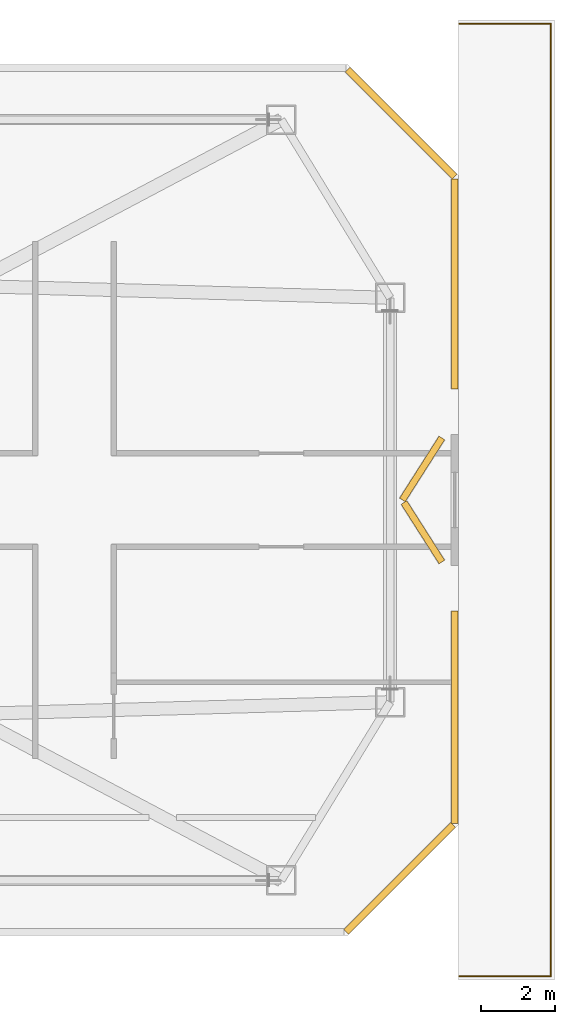
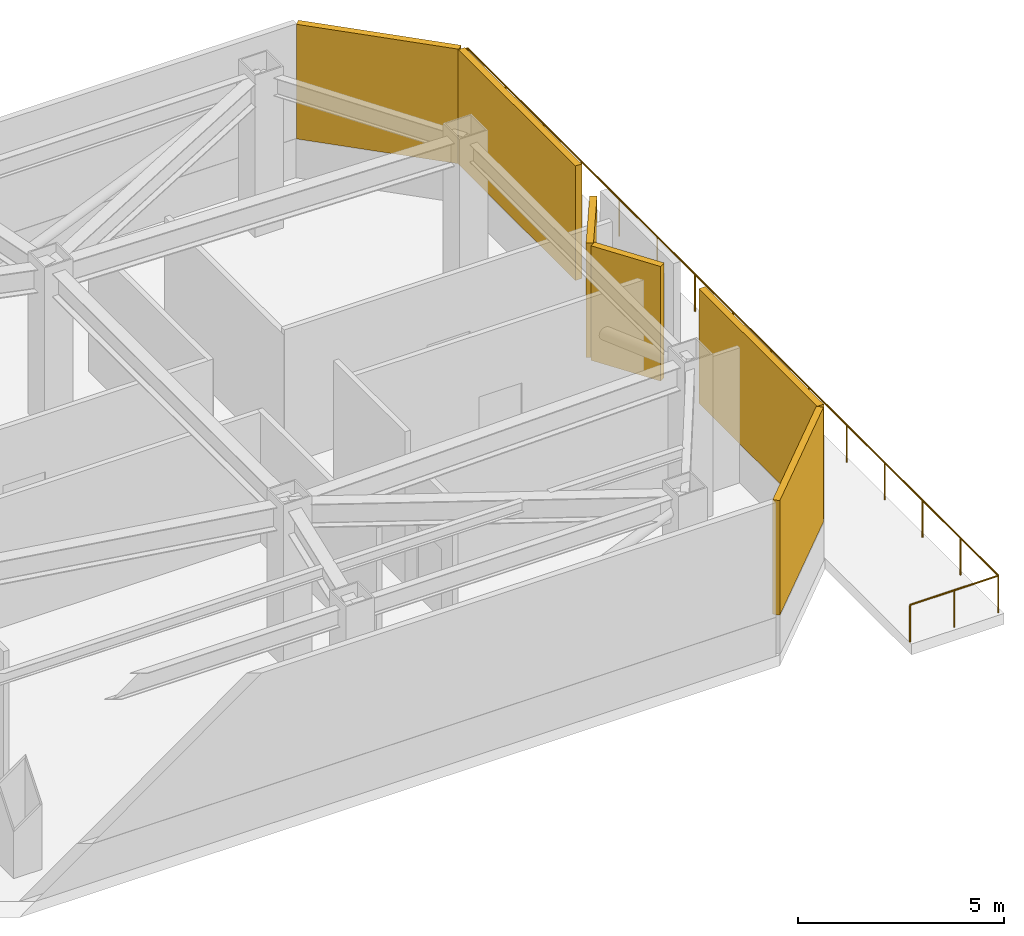
# One storey, part 10 of 10: 6 shading devices, 1 railing.
"""IFC4 building model written with IfcOpenShell, lengths in metres."""

from ifc_helpers import new_model, si_unit, direction, frame, origin, origin_2d, place, context, subcontext, project, spatial, rectangle, circle, extrude, material, type_object, element, save


model = new_model("IFC4")

# Units and contexts
model_context = context("Model", 3, precision=1e-05, world=origin(), true_north=direction((0.0, 1.0)))
body_context = subcontext(model_context, "Body", "Model", "MODEL_VIEW")
ifc_project = project(units=[si_unit("LENGTHUNIT", "METRE"), si_unit("AREAUNIT", "SQUARE_METRE"), si_unit("VOLUMEUNIT", "CUBIC_METRE"), si_unit("PLANEANGLEUNIT", "RADIAN"), si_unit("MASSUNIT", "GRAM", prefix="KILO")], contexts=[model_context])

# Site, building, storey
site_placement = place(None, origin())
site = spatial("IfcSite", under=ifc_project, at=site_placement, CompositionType="ELEMENT")
building_placement = place(site_placement, origin())
building = spatial("IfcBuilding", under=site, at=building_placement, Name="Khamvora Tower", CompositionType="ELEMENT")
storey_placement = place(building_placement, frame((0.0, 0.0, 303.050048828125)))
storey = spatial("IfcBuildingStorey", under=building, at=storey_placement, Name="L77", CompositionType="ELEMENT", Elevation=303.050048828125)

# Railing
ifc_material_1 = material(Name="Stainless Steel 316 and Laminated Glass", Category="steel")
railing_type = type_object("IfcRailingType", Name="RAL-GAL-1120", PredefinedType="GUARDRAIL", material=ifc_material_1)
railing_placement = place(storey_placement, frame((63.820068359375, 15.10009765625, 0.0)))
element("IfcRailing", 1, at=railing_placement, inside=storey, type_object=railing_type, Name="L77 east crown terrace perimeter safety guardrail", PredefinedType="GUARDRAIL", context=body_context, shape_type="SweptSolid", body=[
    extrude(circle(Radius=0.02392578125, at=origin_2d()), frame((0.0, 0.0, 1.09619140625), z_axis=(1.0, 0.0, 0.0), x_axis=(0.0, 1.0, 0.0)), (0.0, 0.0, 1.0), 2.47998046875),
    extrude(circle(Radius=0.02392578125, at=origin_2d()), frame((2.47998046875, 0.0, 1.09619140625), z_axis=(0.0, 1.0, 0.0), x_axis=(-1.0, 0.0, 0.0)), (0.0, 0.0, 1.0), 25.7998046875),
    extrude(circle(Radius=0.02392578125, at=origin_2d()), frame((2.47998046875, 25.7998046875, 1.09619140625), z_axis=(-1.0, 0.0, 0.0), x_axis=(0.0, -1.0, 0.0)), (0.0, 0.0, 1.0), 2.47998046875),
    extrude(circle(Radius=0.02099609375, at=origin_2d()), origin(), (0.0, 0.0, 1.0), 1.072021484375),
    extrude(circle(Radius=0.02099609375, at=origin_2d()), frame((1.239990234375, 0.0, 0.0)), (0.0, 0.0, 1.0), 1.072021484375),
    extrude(circle(Radius=0.02099609375, at=origin_2d()), frame((2.47998046875, 0.0, 0.0)), (0.0, 0.0, 1.0), 1.072021484375),
    extrude(circle(Radius=0.02099609375, at=origin_2d()), frame((2.47998046875, 1.8427734375, 0.0)), (0.0, 0.0, 1.0), 1.072021484375),
    extrude(circle(Radius=0.02099609375, at=origin_2d()), frame((2.47998046875, 3.685791015625, 0.0)), (0.0, 0.0, 1.0), 1.072021484375),
    extrude(circle(Radius=0.02099609375, at=origin_2d()), frame((2.47998046875, 5.528564453125, 0.0)), (0.0, 0.0, 1.0), 1.072021484375),
    extrude(circle(Radius=0.02099609375, at=origin_2d()), frame((2.47998046875, 7.371337890625, 0.0)), (0.0, 0.0, 1.0), 1.072021484375),
    extrude(circle(Radius=0.02099609375, at=origin_2d()), frame((2.47998046875, 9.214111328125, 0.0)), (0.0, 0.0, 1.0), 1.072021484375),
    extrude(circle(Radius=0.02099609375, at=origin_2d()), frame((2.47998046875, 11.05712890625, 0.0)), (0.0, 0.0, 1.0), 1.072021484375),
    extrude(circle(Radius=0.02099609375, at=origin_2d()), frame((2.47998046875, 12.89990234375, 0.0)), (0.0, 0.0, 1.0), 1.072021484375),
    extrude(circle(Radius=0.02099609375, at=origin_2d()), frame((2.47998046875, 14.74267578125, 0.0)), (0.0, 0.0, 1.0), 1.072021484375),
    extrude(circle(Radius=0.02099609375, at=origin_2d()), frame((2.47998046875, 16.585693359375, 0.0)), (0.0, 0.0, 1.0), 1.072021484375),
    extrude(circle(Radius=0.02099609375, at=origin_2d()), frame((2.47998046875, 18.428466796875, 0.0)), (0.0, 0.0, 1.0), 1.072021484375),
    extrude(circle(Radius=0.02099609375, at=origin_2d()), frame((2.47998046875, 20.271240234375, 0.0)), (0.0, 0.0, 1.0), 1.072021484375),
    extrude(circle(Radius=0.02099609375, at=origin_2d()), frame((2.47998046875, 22.114013671875, 0.0)), (0.0, 0.0, 1.0), 1.072021484375),
    extrude(circle(Radius=0.02099609375, at=origin_2d()), frame((2.47998046875, 23.95703125, 0.0)), (0.0, 0.0, 1.0), 1.072021484375),
    extrude(circle(Radius=0.02099609375, at=origin_2d()), frame((2.47998046875, 25.7998046875, 0.0)), (0.0, 0.0, 1.0), 1.072021484375),
    extrude(circle(Radius=0.02099609375, at=origin_2d()), frame((1.239990234375, 25.7998046875, 0.0)), (0.0, 0.0, 1.0), 1.072021484375),
    extrude(circle(Radius=0.02099609375, at=origin_2d()), frame((0.0, 25.7998046875, 0.0)), (0.0, 0.0, 1.0), 1.072021484375),
])

# Shading devices
ifc_material_2 = material(Name="Pale Anodised Aluminium 6063-T6", Category="aluminium")
shading_device_type = type_object("IfcShadingDeviceType", Name="SHD-LVR-150", PredefinedType="JALOUSIE", material=ifc_material_2)
shading_device_1_placement = place(storey_placement, frame((62.251953125, 38.20703125, 1.14990234375), z_axis=(0.0, 0.0, 1.0), x_axis=(0.707106781187, -0.707106781187, 0.0)))
element("IfcShadingDevice", 2, at=shading_device_1_placement, inside=storey, type_object=shading_device_type, Name="L77 mechanical weather louvre 08.1", PredefinedType="JALOUSIE", context=body_context, shape_type="SweptSolid", body=[
    extrude(rectangle(XDim=4.096923828125, YDim=0.179931640625, at=origin_2d()), origin(), (0.0, 0.0, 1.0), 3.39990234375),
])
shading_device_2_placement = place(storey_placement, frame((63.699951171875, 33.847900390625, 1.14990234375), z_axis=(0.0, 0.0, 1.0), x_axis=(0.0, -1.0, 0.0)))
element("IfcShadingDevice", 3, at=shading_device_2_placement, inside=storey, type_object=shading_device_type, Name="L77 mechanical weather louvre 09.1", PredefinedType="JALOUSIE", context=body_context, shape_type="SweptSolid", body=[
    extrude(rectangle(XDim=5.696044921875, YDim=0.179931640625, at=origin_2d()), origin(), (0.0, 0.0, 1.0), 3.39990234375),
])
shading_device_3_placement = place(storey_placement, frame((62.81591796875, 28.840087890625, 1.14990234375), z_axis=(0.0, 0.0, 1.0), x_axis=(-0.537022412207, -0.843567975203, 0.0)))
element("IfcShadingDevice", 4, at=shading_device_3_placement, inside=storey, type_object=shading_device_type, Name="L77 mechanical weather louvre 10.1", PredefinedType="JALOUSIE", context=body_context, shape_type="SweptSolid", body=[
    extrude(rectangle(XDim=1.989990234375, YDim=0.179931640625, at=origin_2d()), origin(), (0.0, 0.0, 1.0), 3.39990234375),
])
shading_device_4_placement = place(storey_placement, frame((62.837890625, 27.1259765625, 1.14990234375), z_axis=(0.0, 0.0, 1.0), x_axis=(0.537022412207, -0.843567975203, 0.0)))
element("IfcShadingDevice", 5, at=shading_device_4_placement, inside=storey, type_object=shading_device_type, Name="L77 mechanical weather louvre 11.1", PredefinedType="JALOUSIE", context=body_context, shape_type="SweptSolid", body=[
    extrude(rectangle(XDim=1.908935546875, YDim=0.179931640625, at=origin_2d()), origin(), (0.0, 0.0, 1.0), 3.39990234375),
])
shading_device_5_placement = place(storey_placement, frame((63.699951171875, 22.1201171875, 1.14990234375), z_axis=(0.0, 0.0, 1.0), x_axis=(0.0, -1.0, 0.0)))
element("IfcShadingDevice", 6, at=shading_device_5_placement, inside=storey, type_object=shading_device_type, Name="L77 mechanical weather louvre 12.1", PredefinedType="JALOUSIE", context=body_context, shape_type="SweptSolid", body=[
    extrude(rectangle(XDim=5.759033203125, YDim=0.179931640625, at=origin_2d()), origin(), (0.0, 0.0, 1.0), 3.39990234375),
])
shading_device_6_placement = place(storey_placement, frame((62.20703125, 17.748046875, 1.14990234375), z_axis=(0.0, 0.0, 1.0), x_axis=(-0.707106781187, -0.707106781187, 0.0)))
element("IfcShadingDevice", 7, at=shading_device_6_placement, inside=storey, type_object=shading_device_type, Name="L77 mechanical weather louvre 13.1", PredefinedType="JALOUSIE", context=body_context, shape_type="SweptSolid", body=[
    extrude(rectangle(XDim=4.095947265625, YDim=0.179931640625, at=origin_2d()), origin(), (0.0, 0.0, 1.0), 3.39990234375),
])

save(model, "model.ifc")
